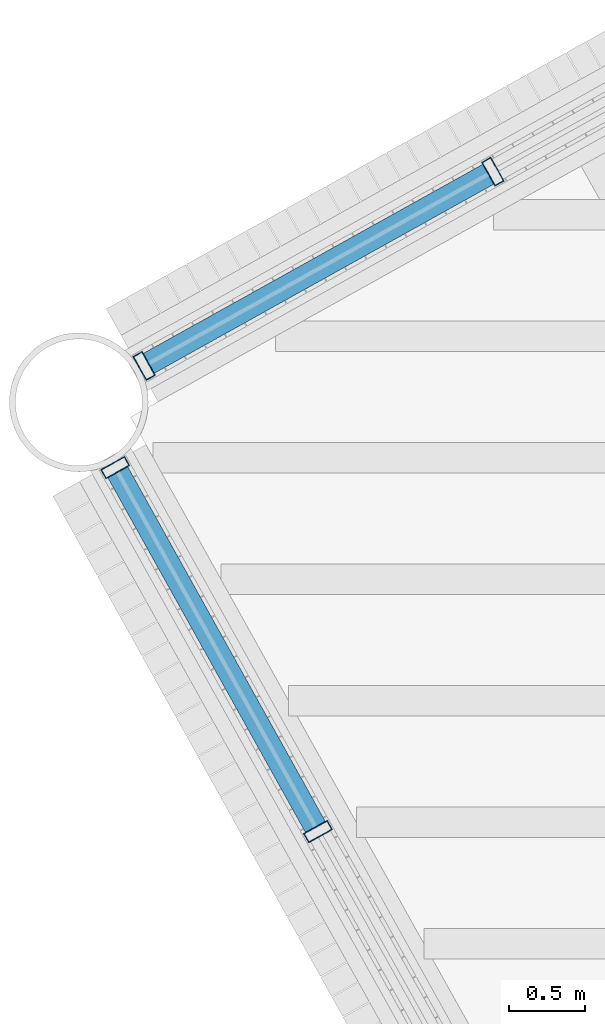
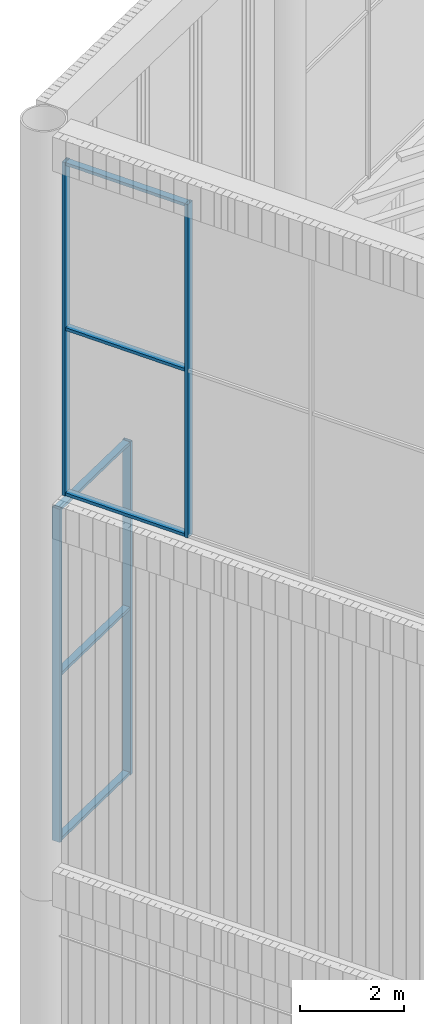
# One storey, part 17 of 117: 10 members, 2 elements without a shape of their own.
"""IFC4 building model written with IfcOpenShell, lengths in metres."""

from ifc_helpers import new_model, si_unit, direction, frame, origin, origin_2d, place, context, subcontext, project, spatial, hollow_rectangle, extrude, material, layer, layer_set, material_profile, profile_set, type_object, element, aggregate, save


model = new_model("IFC4")

# Units and contexts
model_context = context("Model", 3, precision=1e-05, world=origin(), true_north=direction((0.0, 1.0)))
body_context = subcontext(model_context, "Body", "Model", "MODEL_VIEW")
ifc_project = project(units=[si_unit("LENGTHUNIT", "METRE"), si_unit("AREAUNIT", "SQUARE_METRE"), si_unit("VOLUMEUNIT", "CUBIC_METRE"), si_unit("PLANEANGLEUNIT", "RADIAN"), si_unit("MASSUNIT", "GRAM", prefix="KILO")], contexts=[model_context])

# Site, building, storey
site_placement = place(None, origin())
site = spatial("IfcSite", under=ifc_project, at=site_placement, CompositionType="ELEMENT")
building_placement = place(site_placement, origin())
building = spatial("IfcBuilding", under=site, at=building_placement, Name="Tarsis Ring Headquarters", CompositionType="ELEMENT")
storey_placement = place(building_placement, frame((0.0, 0.0, 403.60009765625)))
storey = spatial("IfcBuildingStorey", under=building, at=storey_placement, Name="L95", CompositionType="ELEMENT", Elevation=403.60009765625)

# Curtain wall, members
ifc_material_1 = material(Name="Aluminium curtain wall", Category="aluminium")
ifc_layer = layer(ifc_material_1, 0.179931640625)
ifc_layer_set = layer_set([ifc_layer], Name="Curtain wall crown glazing")
curtain_wall_type = type_object("IfcCurtainWallType", Name="Curtain wall crown glazing", PredefinedType="NOTDEFINED", material=ifc_layer_set)
curtain_wall_1_placement = place(storey_placement, origin())
curtain_wall_1 = element("IfcCurtainWall", 1, at=curtain_wall_1_placement, inside=storey, type_object=curtain_wall_type, Name="Crown glazing L15", PredefinedType="NOTDEFINED")
ifc_material_2 = material(Name="Aluminium mullion", Category="aluminium")
ifc_material_profile_1 = material_profile(ifc_material_2, hollow_rectangle(XDim=0.179931640625, YDim=0.070068359375, WallThickness=0.0048828125, at=origin_2d()), Name="RHS 180x70x5")
ifc_profile_set_1 = profile_set([ifc_material_profile_1], Name="Aluminium mullion")
member_type_1 = type_object("IfcMemberType", Name="Crown glazing mullion RHS 180x70x5", PredefinedType="MULLION", material=ifc_profile_set_1)
member_1_placement = place(storey_placement, frame((-41.866943359375, -6.380615234375, 5.7998046875), z_axis=(0.0, 0.0, 1.0), x_axis=(0.486640300948, -0.873602436748, 0.0)))
member_1 = element("IfcMember", 2, at=member_1_placement, type_object=member_type_1, Name="CW-C mullion 3", PredefinedType="MULLION", context=body_context, shape_type="SweptSolid", body=[
    extrude(hollow_rectangle(XDim=0.179931640625, YDim=0.070068359375, WallThickness=0.0048828125, at=origin_2d()), origin(), (0.0, 0.0, 1.0), 7.800048828125),
])
member_2_placement = place(storey_placement, frame((-44.16259765625, -7.659423828125, 5.7998046875), z_axis=(0.0, 0.0, 1.0), x_axis=(0.486640300948, -0.873602436748, 0.0)))
member_2 = element("IfcMember", 3, at=member_2_placement, type_object=member_type_1, Name="CW-C mullion 4", PredefinedType="MULLION", context=body_context, shape_type="SweptSolid", body=[
    extrude(hollow_rectangle(XDim=0.179931640625, YDim=0.070068359375, WallThickness=0.0048828125, at=origin_2d()), origin(), (0.0, 0.0, 1.0), 7.800048828125),
])

curtain_wall_2_placement = place(storey_placement, origin())
curtain_wall_2 = element("IfcCurtainWall", 4, at=curtain_wall_2_placement, inside=storey, type_object=curtain_wall_type, Name="Crown glazing U16", PredefinedType="NOTDEFINED")
member_3_placement = place(storey_placement, frame((-44.35302734375, -8.32861328125, 14.39990234375), z_axis=(0.0, 0.0, 1.0), x_axis=(0.873602436001, 0.48664030229, 0.0)))
member_3 = element("IfcMember", 5, at=member_3_placement, type_object=member_type_1, Name="CW-C mullion 1", PredefinedType="MULLION", context=body_context, shape_type="SweptSolid", body=[
    extrude(hollow_rectangle(XDim=0.179931640625, YDim=0.070068359375, WallThickness=0.0048828125, at=origin_2d()), origin(), (0.0, 0.0, 1.0), 7.800048828125),
])
member_4_placement = place(storey_placement, frame((-43.0185546875, -10.724365234375, 14.39990234375), z_axis=(0.0, 0.0, 1.0), x_axis=(0.873602436001, 0.48664030229, 0.0)))
member_4 = element("IfcMember", 6, at=member_4_placement, type_object=member_type_1, Name="CW-C mullion 2", PredefinedType="MULLION", context=body_context, shape_type="SweptSolid", body=[
    extrude(hollow_rectangle(XDim=0.179931640625, YDim=0.070068359375, WallThickness=0.0048828125, at=origin_2d()), origin(), (0.0, 0.0, 1.0), 7.800048828125),
])

# Member
ifc_material_3 = material(Name="Aluminium transom", Category="aluminium")
ifc_material_profile_2 = material_profile(ifc_material_3, hollow_rectangle(XDim=0.14990234375, YDim=0.070068359375, WallThickness=0.0048828125, at=origin_2d()), Name="RHS 150x70x5")
ifc_profile_set_2 = profile_set([ifc_material_profile_2], Name="Aluminium transom")
member_type_2 = type_object("IfcMemberType", Name="Crown glazing transom RHS 150x70x5", PredefinedType="USERDEFINED", material=ifc_profile_set_2)
member_5_placement = place(storey_placement, frame((-41.897705078125, -6.397705078125, 5.8349609375), z_axis=(-0.873607398367, -0.486631393889, 0.0), x_axis=(0.486631393889, -0.873607398367, 0.0)))
member_5 = element("IfcMember", 7, at=member_5_placement, type_object=member_type_2, Name="CW-C transom 3.1", ObjectType="TRANSOM", PredefinedType="USERDEFINED", context=body_context, shape_type="SweptSolid", body=[
    extrude(hollow_rectangle(XDim=0.14990234375, YDim=0.070068359375, WallThickness=0.0048828125, at=origin_2d()), origin(), (0.0, 0.0, 1.0), 2.5576171875),
])

member_6_placement = place(storey_placement, frame((-41.897705078125, -6.397705078125, 9.699951171875), z_axis=(-0.873607398367, -0.486631393889, 0.0), x_axis=(0.486631393889, -0.873607398367, 0.0)))
member_6 = element("IfcMember", 8, at=member_6_placement, type_object=member_type_2, Name="CW-C transom 3.2", ObjectType="TRANSOM", PredefinedType="USERDEFINED", context=body_context, shape_type="SweptSolid", body=[
    extrude(hollow_rectangle(XDim=0.14990234375, YDim=0.070068359375, WallThickness=0.0048828125, at=origin_2d()), origin(), (0.0, 0.0, 1.0), 2.5576171875),
])

member_7_placement = place(storey_placement, frame((-41.897705078125, -6.397705078125, 13.56494140625), z_axis=(-0.873607398367, -0.486631393889, 0.0), x_axis=(0.486631393889, -0.873607398367, 0.0)))
member_7 = element("IfcMember", 9, at=member_7_placement, type_object=member_type_2, Name="CW-C transom 3.3", ObjectType="TRANSOM", PredefinedType="USERDEFINED", context=body_context, shape_type="SweptSolid", body=[
    extrude(hollow_rectangle(XDim=0.14990234375, YDim=0.070068359375, WallThickness=0.0048828125, at=origin_2d()), origin(), (0.0, 0.0, 1.0), 2.5576171875),
])

aggregate(curtain_wall_1, [member_1, member_2, member_5, member_6, member_7])

member_8_placement = place(storey_placement, frame((-44.3359375, -8.359375, 14.434814453125), z_axis=(0.48664338693, -0.873600717695, 0.0), x_axis=(0.873600717695, 0.48664338693, 0.0)))
member_8 = element("IfcMember", 10, at=member_8_placement, type_object=member_type_2, Name="CW-C transom 1.1", ObjectType="TRANSOM", PredefinedType="USERDEFINED", context=body_context, shape_type="SweptSolid", body=[
    extrude(hollow_rectangle(XDim=0.14990234375, YDim=0.070068359375, WallThickness=0.0048828125, at=origin_2d()), origin(), (0.0, 0.0, 1.0), 2.671875),
])

member_9_placement = place(storey_placement, frame((-44.3359375, -8.359375, 18.2998046875), z_axis=(0.48664338693, -0.873600717695, 0.0), x_axis=(0.873600717695, 0.48664338693, 0.0)))
member_9 = element("IfcMember", 11, at=member_9_placement, type_object=member_type_2, Name="CW-C transom 1.2", ObjectType="TRANSOM", PredefinedType="USERDEFINED", context=body_context, shape_type="SweptSolid", body=[
    extrude(hollow_rectangle(XDim=0.14990234375, YDim=0.070068359375, WallThickness=0.0048828125, at=origin_2d()), origin(), (0.0, 0.0, 1.0), 2.671875),
])

member_10_placement = place(storey_placement, frame((-44.3359375, -8.359375, 22.164794921875), z_axis=(0.48664338693, -0.873600717695, 0.0), x_axis=(0.873600717695, 0.48664338693, 0.0)))
member_10 = element("IfcMember", 12, at=member_10_placement, type_object=member_type_2, Name="CW-C transom 1.3", ObjectType="TRANSOM", PredefinedType="USERDEFINED", context=body_context, shape_type="SweptSolid", body=[
    extrude(hollow_rectangle(XDim=0.14990234375, YDim=0.070068359375, WallThickness=0.0048828125, at=origin_2d()), origin(), (0.0, 0.0, 1.0), 2.671875),
])

aggregate(curtain_wall_2, [member_3, member_4, member_8, member_9, member_10])

save(model, "model.ifc")
